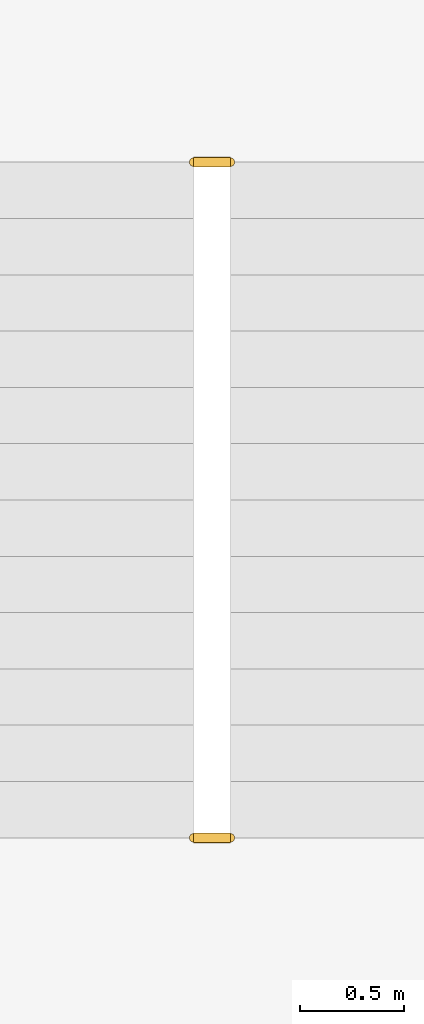
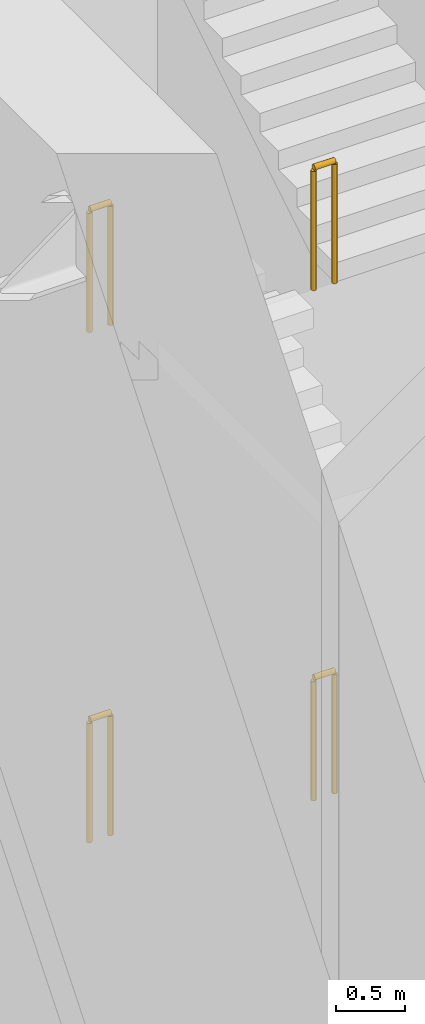
# One storey, part 18 of 20: 4 railings.
"""IFC4 building model written with IfcOpenShell, lengths in metres."""

from ifc_helpers import new_model, si_unit, direction, frame, origin, origin_2d, place, context, subcontext, project, spatial, circle, extrude, material, type_object, element, save


model = new_model("IFC4")

# Units and contexts
model_context = context("Model", 3, precision=1e-05, world=origin(), true_north=direction((0.0, 1.0)))
body_context = subcontext(model_context, "Body", "Model", "MODEL_VIEW")
ifc_project = project(units=[si_unit("LENGTHUNIT", "METRE"), si_unit("AREAUNIT", "SQUARE_METRE"), si_unit("VOLUMEUNIT", "CUBIC_METRE"), si_unit("PLANEANGLEUNIT", "RADIAN"), si_unit("MASSUNIT", "GRAM", prefix="KILO")], contexts=[model_context])

# Site, building, storey
site_placement = place(None, origin())
site = spatial("IfcSite", under=ifc_project, at=site_placement, CompositionType="ELEMENT")
building_placement = place(site_placement, origin())
building = spatial("IfcBuilding", under=site, at=building_placement, Name="Isbrekke Arena Tower", CompositionType="ELEMENT")
storey_placement = place(building_placement, frame((0.0, 0.0, 19.0)))
storey = spatial("IfcBuildingStorey", under=building, at=storey_placement, Name="L03", CompositionType="ELEMENT", Elevation=19.0)

# Railings
ifc_material = material(Name="Steel stair guard, vertical bars, steel handrail", Category="steel")
railing_type = type_object("IfcRailingType", Name="GR3 STAIR WELL GUARD 1100", PredefinedType="GUARDRAIL", material=ifc_material)
for number, where, name in (
    (1, (-12.0, 21.72998046875, 0.0), "GR3 stair well guard ST1 L03"),
    (2, (-12.0, 18.489990234375, 2.333251953125), "GR3 stair well guard ST1 L03"),
    (3, (-12.0, 21.72998046875, 4.5), "GR3 stair well guard ST1 L03"),
    (4, (-12.0, 18.489990234375, 6.833251953125), "GR3 stair well guard ST1 L03"),
):
    element("IfcRailing", number, at=place(storey_placement, frame(where)), inside=storey, type_object=railing_type, Name=name, PredefinedType="GUARDRAIL", context=body_context, shape_type="SweptSolid", body=[
        extrude(circle(Radius=0.02392578125, at=origin_2d()), frame((0.0, 0.0, 1.076171875), z_axis=(1.0, 0.0, 0.0), x_axis=(0.0, 1.0, 0.0)), (0.0, 0.0, 1.0), 0.175048828125),
        extrude(circle(Radius=0.02099609375, at=origin_2d()), origin(), (0.0, 0.0, 1.0), 1.052001953125),
        extrude(circle(Radius=0.02099609375, at=origin_2d()), frame((0.175048828125, 0.0, 0.0)), (0.0, 0.0, 1.0), 1.052001953125),
    ])

save(model, "model.ifc")
